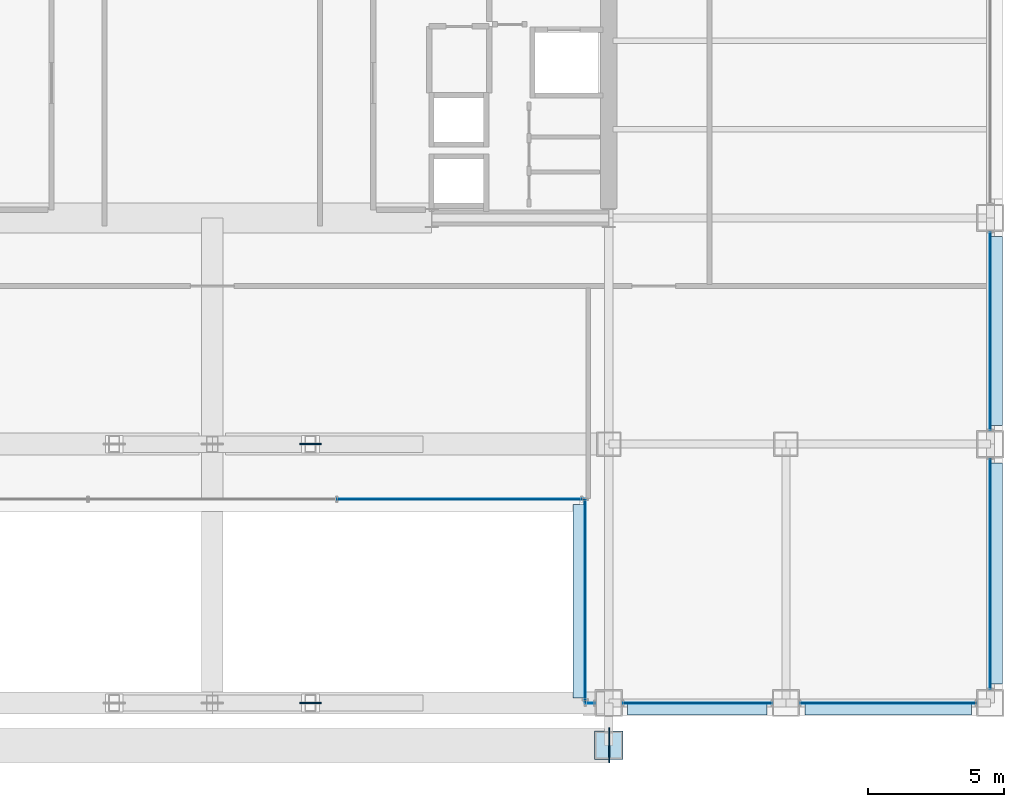
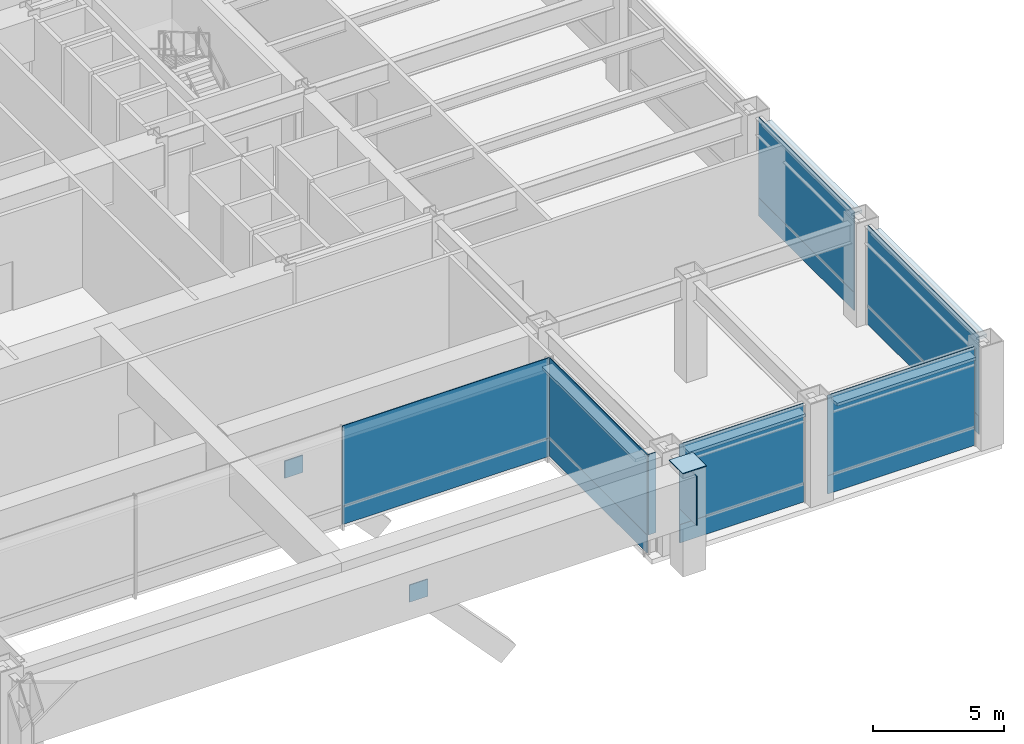
# One storey, part 27 of 37: 22 plates, 7 elements without a shape of their own.
"""IFC4 building model written with IfcOpenShell, lengths in metres."""

from ifc_helpers import new_model, si_unit, direction, frame, origin, origin_2d, place, context, subcontext, project, spatial, rectangle, extrude, material, layer, layer_set, type_object, element, aggregate, save


model = new_model("IFC4")

# Units and contexts
model_context = context("Model", 3, precision=1e-05, world=origin(), true_north=direction((0.0, 1.0)))
body_context = subcontext(model_context, "Body", "Model", "MODEL_VIEW")
ifc_project = project(units=[si_unit("LENGTHUNIT", "METRE"), si_unit("AREAUNIT", "SQUARE_METRE"), si_unit("VOLUMEUNIT", "CUBIC_METRE"), si_unit("PLANEANGLEUNIT", "RADIAN"), si_unit("MASSUNIT", "GRAM", prefix="KILO")], contexts=[model_context])

# Site, building, storey
site_placement = place(None, origin())
site = spatial("IfcSite", under=ifc_project, at=site_placement, CompositionType="ELEMENT")
building_placement = place(site_placement, origin())
building = spatial("IfcBuilding", under=site, at=building_placement, Name="Brelmoor Portico Tower", CompositionType="ELEMENT")
storey_placement = place(building_placement, frame((0.0, 0.0, 14.39990234375)))
storey = spatial("IfcBuildingStorey", under=building, at=storey_placement, Name="L03", CompositionType="ELEMENT", Elevation=14.39990234375)

# Plates
ifc_material_1 = material(Name="Steel Q355B", Category="steel")
ifc_layer_1 = layer(ifc_material_1, 0.044921875)
ifc_layer_set_1 = layer_set([ifc_layer_1], Name="Steel Q355B")
plate_type_1 = type_object("IfcPlateType", Name="PT-CAP-650", PredefinedType="SHEET", material=ifc_layer_set_1)
plate_1_placement = place(storey_placement, frame((14.550048828125, -29.10009765625, 4.800048828125), z_axis=(0.0, 0.0, 1.0), x_axis=(1.0, 0.0, 0.0)))
element("IfcPlate", 1, at=plate_1_placement, inside=storey, type_object=plate_type_1, Name="L03 Giant Arch Entrance Portal Pier EP-SE Welded Head Cap Plate", PredefinedType="SHEET", context=body_context, shape_type="SweptSolid", body=[
    extrude(rectangle(XDim=1.0400390625, YDim=1.0400390625, at=origin_2d()), origin(), (0.0, 0.0, 1.0), 0.0400390625),
])
plate_2_placement = place(storey_placement, frame((14.570068359375, -29.10009765625, 2.31005859375), z_axis=(0.0, 0.0, 1.0), x_axis=(1.0, 0.0, 0.0)))
element("IfcPlate", 2, at=plate_2_placement, inside=storey, type_object=plate_type_1, Name="L03 Entrance Portal Header End Cap Plate S-E", PredefinedType="SHEET", context=body_context, shape_type="SweptSolid", body=[
    extrude(rectangle(XDim=0.0400390625, YDim=1.2900390625, at=origin_2d()), origin(), (0.0, 0.0, 1.0), 2.2900390625),
])

# Curtain wall, plate
ifc_material_2 = material(Name="Anodised Aluminium Alloy 6063-T6", Category="aluminium")
ifc_layer_2 = layer(ifc_material_2, 0.179931640625)
ifc_layer_set_2 = layer_set([ifc_layer_2], Name="Anodised Aluminium Alloy 6063-T6")
curtain_wall_type = type_object("IfcCurtainWallType", Name="CW-PODIUM-ARCH", PredefinedType="NOTDEFINED", material=ifc_layer_set_2)
curtain_wall_1_placement = place(storey_placement, origin())
curtain_wall_1 = element("IfcCurtainWall", 3, at=curtain_wall_1_placement, inside=storey, type_object=curtain_wall_type, Name="L03 Curtain Wall CW-L03-02-1", PredefinedType="NOTDEFINED")
ifc_material_3 = material(Name="Double-Silver Low-E Insulated Glazing", Category="glass")
ifc_layer_3 = layer(ifc_material_3, 0.035888671875)
ifc_layer_set_3 = layer_set([ifc_layer_3], Name="Double-Silver Low-E Insulated Glazing")
plate_type_2 = type_object("IfcPlateType", Name="PT-CW-GLASS", PredefinedType="CURTAIN_PANEL", material=ifc_layer_set_3)
plate_3_placement = place(storey_placement, frame((13.860107421875, -27.550048828125, 0.85009765625), z_axis=(0.0, 0.0, 1.0), x_axis=(1.0, 0.0, 0.0)))
plate_3 = element("IfcPlate", 4, at=plate_3_placement, type_object=plate_type_2, Name="CW-L03-02-1 Vision Glass Panel 00", PredefinedType="CURTAIN_PANEL", context=body_context, shape_type="SweptSolid", body=[
    extrude(rectangle(XDim=0.330078125, YDim=0.035888671875, at=origin_2d()), origin(), (0.0, 0.0, 1.0), 3.72998046875),
])
aggregate(curtain_wall_1, [plate_3])

curtain_wall_2_placement = place(storey_placement, origin())
curtain_wall_2 = element("IfcCurtainWall", 5, at=curtain_wall_2_placement, inside=storey, type_object=curtain_wall_type, Name="L03 Curtain Wall CW-L03-02-2", PredefinedType="NOTDEFINED")
plate_4_placement = place(storey_placement, frame((17.800048828125, -27.550048828125, 0.85009765625), z_axis=(0.0, 0.0, 1.0), x_axis=(1.0, 0.0, 0.0)))
plate_4 = element("IfcPlate", 6, at=plate_4_placement, type_object=plate_type_2, Name="CW-L03-02-2 Vision Glass Panel 00", PredefinedType="CURTAIN_PANEL", context=body_context, shape_type="SweptSolid", body=[
    extrude(rectangle(XDim=5.449951171875, YDim=0.035888671875, at=origin_2d()), origin(), (0.0, 0.0, 1.0), 3.72998046875),
])

curtain_wall_3_placement = place(storey_placement, origin())
curtain_wall_3 = element("IfcCurtainWall", 7, at=curtain_wall_3_placement, inside=storey, type_object=curtain_wall_type, Name="L03 Curtain Wall CW-L03-02-3", PredefinedType="NOTDEFINED")
plate_5_placement = place(storey_placement, frame((24.800048828125, -27.550048828125, 0.85009765625), z_axis=(0.0, 0.0, 1.0), x_axis=(1.0, 0.0, 0.0)))
plate_5 = element("IfcPlate", 8, at=plate_5_placement, type_object=plate_type_2, Name="CW-L03-02-3 Vision Glass Panel 00", PredefinedType="CURTAIN_PANEL", context=body_context, shape_type="SweptSolid", body=[
    extrude(rectangle(XDim=6.449951171875, YDim=0.035888671875, at=origin_2d()), origin(), (0.0, 0.0, 1.0), 3.72998046875),
])

curtain_wall_4_placement = place(storey_placement, origin())
curtain_wall_4 = element("IfcCurtainWall", 9, at=curtain_wall_4_placement, inside=storey, type_object=curtain_wall_type, Name="L03 Curtain Wall CW-L03-04", PredefinedType="NOTDEFINED")
plate_6_placement = place(storey_placement, frame((13.679931640625, -23.81494140625, 0.85009765625), z_axis=(0.0, 0.0, 1.0), x_axis=(0.0, 1.0, 0.0)))
plate_6 = element("IfcPlate", 10, at=plate_6_placement, type_object=plate_type_2, Name="CW-L03-04 Vision Glass Panel 00", PredefinedType="CURTAIN_PANEL", context=body_context, shape_type="SweptSolid", body=[
    extrude(rectangle(XDim=7.43994140625, YDim=0.035888671875, at=origin_2d()), origin(), (0.0, 0.0, 1.0), 3.72998046875),
])

curtain_wall_5_placement = place(storey_placement, origin())
curtain_wall_5 = element("IfcCurtainWall", 11, at=curtain_wall_5_placement, inside=storey, type_object=curtain_wall_type, Name="L03 Curtain Wall CW-L03-05", PredefinedType="NOTDEFINED")
plate_7_placement = place(storey_placement, frame((9.1201171875, -20.080078125, 0.85009765625), z_axis=(0.0, 0.0, 1.0), x_axis=(1.0, 0.0, 0.0)))
plate_7 = element("IfcPlate", 12, at=plate_7_placement, type_object=plate_type_2, Name="CW-L03-05 Vision Glass Panel 02", PredefinedType="CURTAIN_PANEL", context=body_context, shape_type="SweptSolid", body=[
    extrude(rectangle(XDim=9.090087890625, YDim=0.035888671875, at=origin_2d()), origin(), (0.0, 0.0, 1.0), 3.72998046875),
])

curtain_wall_6_placement = place(storey_placement, origin())
curtain_wall_6 = element("IfcCurtainWall", 13, at=curtain_wall_6_placement, inside=storey, type_object=curtain_wall_type, Name="L03 Curtain Wall CW-L03-12-1", PredefinedType="NOTDEFINED")
plate_8_placement = place(storey_placement, frame((28.550048828125, -22.800048828125, 0.85009765625), z_axis=(0.0, 0.0, 1.0), x_axis=(0.0, 1.0, 0.0)))
plate_8 = element("IfcPlate", 14, at=plate_8_placement, type_object=plate_type_2, Name="CW-L03-12-1 Vision Glass Panel 00", PredefinedType="CURTAIN_PANEL", context=body_context, shape_type="SweptSolid", body=[
    extrude(rectangle(XDim=8.449951171875, YDim=0.035888671875, at=origin_2d()), origin(), (0.0, 0.0, 1.0), 3.72998046875),
])

curtain_wall_7_placement = place(storey_placement, origin())
curtain_wall_7 = element("IfcCurtainWall", 15, at=curtain_wall_7_placement, inside=storey, type_object=curtain_wall_type, Name="L03 Curtain Wall CW-L03-12-2", PredefinedType="NOTDEFINED")
plate_9_placement = place(storey_placement, frame((28.550048828125, -13.89990234375, 0.85009765625), z_axis=(0.0, 0.0, 1.0), x_axis=(0.0, 1.0, 0.0)))
plate_9 = element("IfcPlate", 16, at=plate_9_placement, type_object=plate_type_2, Name="CW-L03-12-2 Vision Glass Panel 00", PredefinedType="CURTAIN_PANEL", context=body_context, shape_type="SweptSolid", body=[
    extrude(rectangle(XDim=7.25, YDim=0.035888671875, at=origin_2d()), origin(), (0.0, 0.0, 1.0), 3.72998046875),
])

# Plate
ifc_material_4 = material(Name="Pale Champagne Anodised Aluminium Panel", Category="aluminium")
ifc_layer_4 = layer(ifc_material_4, 0.050048828125)
ifc_layer_set_4 = layer_set([ifc_layer_4], Name="Pale Champagne Anodised Aluminium Panel")
plate_type_3 = type_object("IfcPlateType", Name="PT-CW-SPANDREL", PredefinedType="SHEET", material=ifc_layer_set_4)
plate_10_placement = place(storey_placement, frame((17.800048828125, -27.550048828125, 0.0), z_axis=(0.0, 0.0, 1.0), x_axis=(1.0, 0.0, 0.0)))
plate_10 = element("IfcPlate", 17, at=plate_10_placement, type_object=plate_type_3, Name="CW-L03-02-2 Spandrel Panel 00", PredefinedType="SHEET", context=body_context, shape_type="SweptSolid", body=[
    extrude(rectangle(XDim=5.449951171875, YDim=0.050048828125, at=origin_2d()), origin(), (0.0, 0.0, 1.0), 0.85009765625),
])

aggregate(curtain_wall_2, [plate_10, plate_4])

plate_11_placement = place(storey_placement, frame((24.800048828125, -27.550048828125, 0.0), z_axis=(0.0, 0.0, 1.0), x_axis=(1.0, 0.0, 0.0)))
plate_11 = element("IfcPlate", 18, at=plate_11_placement, type_object=plate_type_3, Name="CW-L03-02-3 Spandrel Panel 00", PredefinedType="SHEET", context=body_context, shape_type="SweptSolid", body=[
    extrude(rectangle(XDim=6.449951171875, YDim=0.050048828125, at=origin_2d()), origin(), (0.0, 0.0, 1.0), 0.85009765625),
])

aggregate(curtain_wall_3, [plate_11, plate_5])

plate_12_placement = place(storey_placement, frame((13.679931640625, -23.81494140625, 0.0), z_axis=(0.0, 0.0, 1.0), x_axis=(0.0, 1.0, 0.0)))
plate_12 = element("IfcPlate", 19, at=plate_12_placement, type_object=plate_type_3, Name="CW-L03-04 Spandrel Panel 00", PredefinedType="SHEET", context=body_context, shape_type="SweptSolid", body=[
    extrude(rectangle(XDim=7.43994140625, YDim=0.050048828125, at=origin_2d()), origin(), (0.0, 0.0, 1.0), 0.85009765625),
])

aggregate(curtain_wall_4, [plate_12, plate_6])

plate_13_placement = place(storey_placement, frame((9.1201171875, -20.080078125, 0.0), z_axis=(0.0, 0.0, 1.0), x_axis=(1.0, 0.0, 0.0)))
plate_13 = element("IfcPlate", 20, at=plate_13_placement, type_object=plate_type_3, Name="CW-L03-05 Spandrel Panel 02", PredefinedType="SHEET", context=body_context, shape_type="SweptSolid", body=[
    extrude(rectangle(XDim=9.090087890625, YDim=0.050048828125, at=origin_2d()), origin(), (0.0, 0.0, 1.0), 0.85009765625),
])

aggregate(curtain_wall_5, [plate_13, plate_7])

plate_14_placement = place(storey_placement, frame((28.550048828125, -22.800048828125, 0.0), z_axis=(0.0, 0.0, 1.0), x_axis=(0.0, 1.0, 0.0)))
plate_14 = element("IfcPlate", 21, at=plate_14_placement, type_object=plate_type_3, Name="CW-L03-12-1 Spandrel Panel 00", PredefinedType="SHEET", context=body_context, shape_type="SweptSolid", body=[
    extrude(rectangle(XDim=8.449951171875, YDim=0.050048828125, at=origin_2d()), origin(), (0.0, 0.0, 1.0), 0.85009765625),
])

aggregate(curtain_wall_6, [plate_14, plate_8])

plate_15_placement = place(storey_placement, frame((28.550048828125, -13.89990234375, 0.0), z_axis=(0.0, 0.0, 1.0), x_axis=(0.0, 1.0, 0.0)))
plate_15 = element("IfcPlate", 22, at=plate_15_placement, type_object=plate_type_3, Name="CW-L03-12-2 Spandrel Panel 00", PredefinedType="SHEET", context=body_context, shape_type="SweptSolid", body=[
    extrude(rectangle(XDim=7.25, YDim=0.050048828125, at=origin_2d()), origin(), (0.0, 0.0, 1.0), 0.85009765625),
])

aggregate(curtain_wall_7, [plate_15, plate_9])

# Plates
ifc_layer_5 = layer(ifc_material_1, 0.050048828125)
ifc_layer_set_5 = layer_set([ifc_layer_5], Name="Steel Q355B")
plate_type_4 = type_object("IfcPlateType", Name="PT-GUSSET-800", PredefinedType="USERDEFINED", material=ifc_layer_set_5)
for number, where, z_axis, x_axis, name in (
    (23, (3.60009765625, -27.550048828125, 1.39990234375), (0.0, 0.0, 1.0), (1.0, 0.0, 0.0), "Portico Arch Gusset Plate S1-5"),
    (24, (3.60009765625, -18.050048828125, 1.39990234375), (0.0, 0.0, 1.0), (1.0, 0.0, 0.0), "Portico Arch Gusset Plate S2-5"),
):
    element("IfcPlate", number, at=place(storey_placement, frame(where, z_axis=z_axis, x_axis=x_axis)), inside=storey, type_object=plate_type_4, Name=name, ObjectType="GUSSET PLATE", PredefinedType="USERDEFINED", context=body_context, shape_type="SweptSolid", body=[
        extrude(rectangle(XDim=0.800048828125, YDim=0.050048828125, at=origin_2d()), origin(), (0.0, 0.0, 1.0), 0.800048828125),
    ])
ifc_material_5 = material(Name="Pale Champagne Perforated Aluminium Solar Screen", Category="aluminium")
ifc_layer_6 = layer(ifc_material_5, 0.054931640625)
ifc_layer_set_6 = layer_set([ifc_layer_6], Name="Pale Champagne Perforated Aluminium Solar Screen")
plate_type_5 = type_object("IfcPlateType", Name="PT-SOLAR-LOUVRE", PredefinedType="SHEET", material=ifc_layer_set_6)
plate_16_placement = place(storey_placement, frame((17.800048828125, -27.760009765625, 4.27001953125), z_axis=(0.0, 0.0, 1.0), x_axis=(1.0, 0.0, 0.0)))
element("IfcPlate", 25, at=plate_16_placement, inside=storey, type_object=plate_type_5, Name="CW-L03-02-2 Caribbean Brise-Soleil Solar Screen", PredefinedType="SHEET", context=body_context, shape_type="SweptSolid", body=[
    extrude(rectangle(XDim=5.1201171875, YDim=0.4599609375, at=origin_2d()), origin(), (0.0, 0.0, 1.0), 0.139892578125),
])
plate_17_placement = place(storey_placement, frame((24.800048828125, -27.760009765625, 4.27001953125), z_axis=(0.0, 0.0, 1.0), x_axis=(1.0, 0.0, 0.0)))
element("IfcPlate", 26, at=plate_17_placement, inside=storey, type_object=plate_type_5, Name="CW-L03-02-3 Caribbean Brise-Soleil Solar Screen", PredefinedType="SHEET", context=body_context, shape_type="SweptSolid", body=[
    extrude(rectangle(XDim=6.1201171875, YDim=0.4599609375, at=origin_2d()), origin(), (0.0, 0.0, 1.0), 0.139892578125),
])
plate_18_placement = place(storey_placement, frame((13.469970703125, -23.81494140625, 4.27001953125), z_axis=(0.0, 0.0, 1.0), x_axis=(0.0, 1.0, 0.0)))
element("IfcPlate", 27, at=plate_18_placement, inside=storey, type_object=plate_type_5, Name="CW-L03-04 Caribbean Brise-Soleil Solar Screen", PredefinedType="SHEET", context=body_context, shape_type="SweptSolid", body=[
    extrude(rectangle(XDim=7.110107421875, YDim=0.4599609375, at=origin_2d()), origin(), (0.0, 0.0, 1.0), 0.139892578125),
])
plate_19_placement = place(storey_placement, frame((28.760009765625, -22.800048828125, 4.27001953125), z_axis=(0.0, 0.0, 1.0), x_axis=(0.0, 1.0, 0.0)))
element("IfcPlate", 28, at=plate_19_placement, inside=storey, type_object=plate_type_5, Name="CW-L03-12-1 Caribbean Brise-Soleil Solar Screen", PredefinedType="SHEET", context=body_context, shape_type="SweptSolid", body=[
    extrude(rectangle(XDim=8.1201171875, YDim=0.4599609375, at=origin_2d()), origin(), (0.0, 0.0, 1.0), 0.139892578125),
])
plate_20_placement = place(storey_placement, frame((28.760009765625, -13.89990234375, 4.27001953125), z_axis=(0.0, 0.0, 1.0), x_axis=(0.0, 1.0, 0.0)))
element("IfcPlate", 29, at=plate_20_placement, inside=storey, type_object=plate_type_5, Name="CW-L03-12-2 Caribbean Brise-Soleil Solar Screen", PredefinedType="SHEET", context=body_context, shape_type="SweptSolid", body=[
    extrude(rectangle(XDim=6.919921875, YDim=0.4599609375, at=origin_2d()), origin(), (0.0, 0.0, 1.0), 0.139892578125),
])

save(model, "model.ifc")
